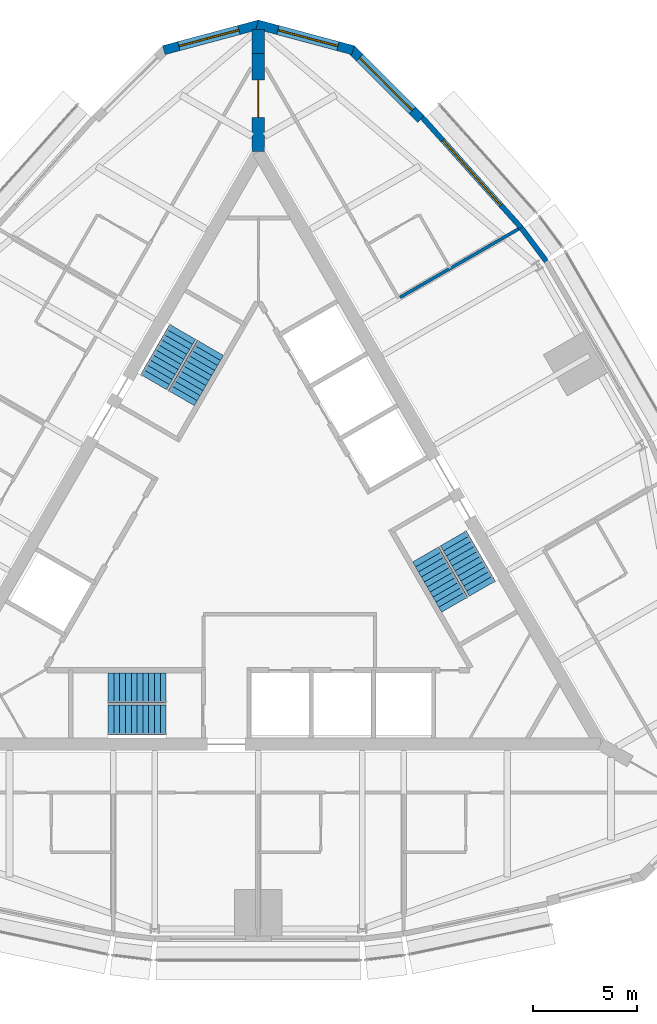
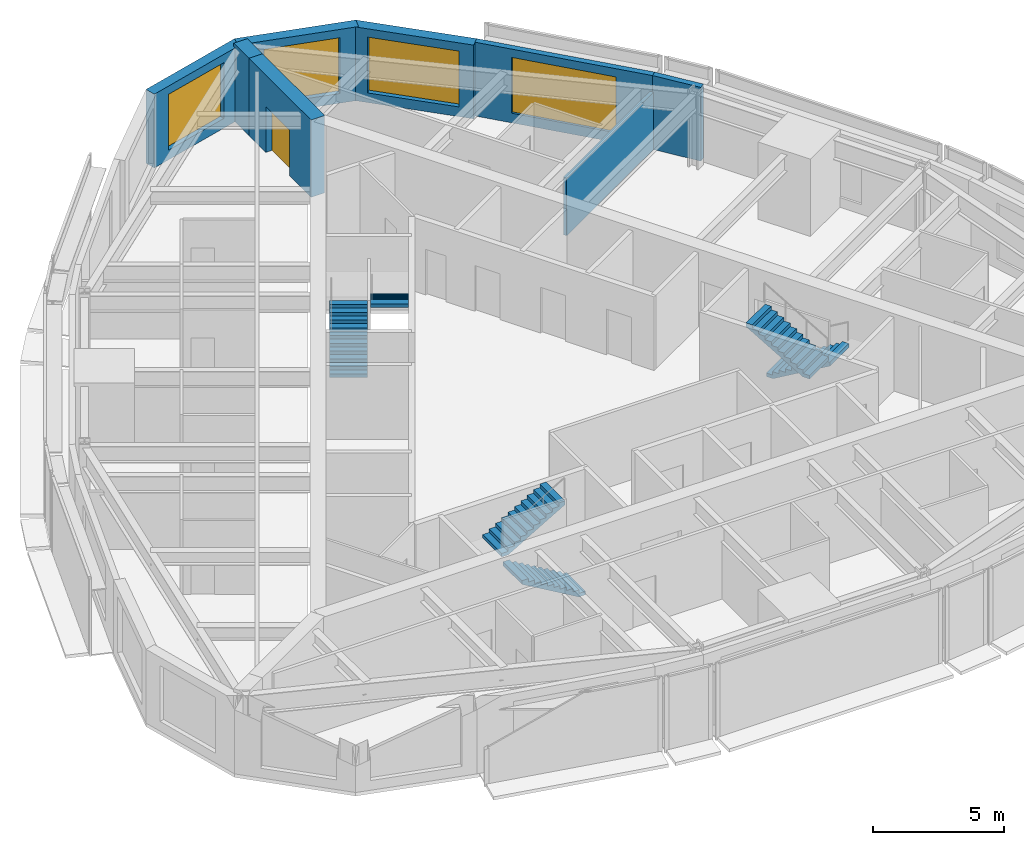
# One storey, part 11 of 12: 8 walls, 6 stair flights, 4 windows, 1 door, 5 openings, 3 elements without a shape of their own.
"""IFC4 building model written with IfcOpenShell, lengths in metres."""

from ifc_helpers import new_model, si_unit, direction, frame, frame_2d, origin, place, context, subcontext, project, spatial, polyline, rectangle, outline, extrude, material, layer, layer_set, type_object, element, fill, aggregate, save


model = new_model("IFC4")

# Units and contexts
model_context = context("Model", 3, precision=1e-05, world=origin(), true_north=direction((0.0, 1.0)))
body_context = subcontext(model_context, "Body", "Model", "MODEL_VIEW")
ifc_project = project(units=[si_unit("LENGTHUNIT", "METRE"), si_unit("AREAUNIT", "SQUARE_METRE"), si_unit("VOLUMEUNIT", "CUBIC_METRE"), si_unit("PLANEANGLEUNIT", "RADIAN"), si_unit("MASSUNIT", "GRAM", prefix="KILO")], contexts=[model_context])

# Site, building, storey
site_placement = place(None, origin())
site = spatial("IfcSite", under=ifc_project, at=site_placement, CompositionType="ELEMENT")
building_placement = place(site_placement, origin())
building = spatial("IfcBuilding", under=site, at=building_placement, Name="Trikona Tower", CompositionType="ELEMENT")
storey_placement = place(building_placement, frame((0.0, 0.0, 246.5)))
storey = spatial("IfcBuildingStorey", under=building, at=storey_placement, Name="L65", CompositionType="ELEMENT", Elevation=246.5)

# Wall, opening, window
ifc_material_1 = material(Name="Brick-faced precast concrete", Category="masonry")
ifc_layer_1 = layer(ifc_material_1, 0.449951171875)
ifc_layer_set_1 = layer_set([ifc_layer_1], Name="Brick-faced corner wall 450")
wall_type_1 = type_object("IfcWallType", Name="Brick-faced corner wall 450", PredefinedType="SOLIDWALL", material=ifc_layer_set_1)
wall_1_placement = place(storey_placement, frame((7.8408203125, 20.62548828125, 0.0), z_axis=(0.0, 0.0, 1.0), x_axis=(-0.707106781187, 0.707106781187, 0.0)))
wall_1 = element("IfcWall", 1, at=wall_1_placement, inside=storey, type_object=wall_type_1, Name="External wall L65-14", PredefinedType="SOLIDWALL", context=body_context, shape_type="SweptSolid", body=[
    extrude(rectangle(XDim=4.781494140625, YDim=0.449951171875, at=frame_2d((2.390625, 0.0))), origin(), (0.0, 0.0, 1.0), 3.43505859375),
])
opening_1_placement = place(wall_1_placement, frame((0.5908203125, 0.0, 0.449951171875)))
opening_1 = element("IfcOpeningElement", 2, at=opening_1_placement, cuts=wall_1, Name="Opening W3626", PredefinedType="OPENING", context=body_context, shape_type="SweptSolid", body=[
    extrude(rectangle(XDim=3.60009765625, YDim=2.60009765625, at=frame_2d((1.800048828125, 1.300048828125))), frame((0.0, 0.23486328125, 0.0), z_axis=(0.0, -1.0, 0.0), x_axis=(1.0, 0.0, 0.0)), (0.0, 0.0, 1.0), 0.469970703125),
])
ifc_material_2 = material(Name="Aluminium-framed double glazing", Category="aluminium")
window_type_1 = type_object("IfcWindowType", Name="Window 3600x2600", PartitioningType="SINGLE_PANEL", PredefinedType="WINDOW", material=ifc_material_2)
window_1_placement = place(opening_1_placement, origin())
window_1 = element("IfcWindow", 3, at=window_1_placement, inside=storey, type_object=window_type_1, Name="Window 6505", OverallHeight=2.60009765625, OverallWidth=3.60009765625, PartitioningType="SINGLE_PANEL", PredefinedType="WINDOW", context=body_context, shape_type="SweptSolid", body=[
    extrude(rectangle(XDim=3.60009765625, YDim=2.60009765625, at=frame_2d((1.800048828125, 1.300048828125))), frame((0.0, 0.030029296875, 0.0), z_axis=(0.0, -1.0, 0.0), x_axis=(1.0, 0.0, 0.0)), (0.0, 0.0, 1.0), 0.06005859375),
])
fill(opening_1, window_1)

wall_2_placement = place(storey_placement, frame((4.560546875, 23.948486328125, 0.0), z_axis=(0.0, 0.0, 1.0), x_axis=(-0.965926628191, 0.258816052347, 0.0)))
wall_2 = element("IfcWall", 4, at=wall_2_placement, inside=storey, type_object=wall_type_1, Name="External wall L65-15", PredefinedType="SOLIDWALL", context=body_context, shape_type="SweptSolid", body=[
    extrude(outline(polyline([(4.781494140625, 0.22509765625), (4.722412109375, 0.22509765625), (4.37548828125, 0.132080078125), (4.3505859375, 0.22509765625), (0.0, 0.22509765625), (0.0, -0.22509765625), (4.781494140625, -0.22509765625), (4.781494140625, 0.22509765625)])), origin(), (0.0, 0.0, 1.0), 3.43505859375),
])
opening_2_placement = place(wall_2_placement, frame((0.750244140625, 0.0, 0.449951171875)))
opening_2 = element("IfcOpeningElement", 5, at=opening_2_placement, cuts=wall_2, Name="Opening W3026", PredefinedType="OPENING", context=body_context, shape_type="SweptSolid", body=[
    extrude(rectangle(XDim=3.0, YDim=2.60009765625, at=frame_2d((1.5, 1.300048828125))), frame((0.0, 0.23486328125, 0.0), z_axis=(0.0, -1.0, 0.0), x_axis=(1.0, 0.0, 0.0)), (0.0, 0.0, 1.0), 0.469970703125),
])
ifc_material_3 = material(Name="Aluminium-framed double glazing", Category="aluminium")
window_type_2 = type_object("IfcWindowType", Name="Window 3000x2600", PartitioningType="SINGLE_PANEL", PredefinedType="WINDOW", material=ifc_material_3)
window_2_placement = place(opening_2_placement, origin())
window_2 = element("IfcWindow", 6, at=window_2_placement, inside=storey, type_object=window_type_2, Name="Window 6505", OverallHeight=2.60009765625, OverallWidth=3.0, PartitioningType="SINGLE_PANEL", PredefinedType="WINDOW", context=body_context, shape_type="SweptSolid", body=[
    extrude(rectangle(XDim=3.0, YDim=2.60009765625, at=frame_2d((1.5, 1.300048828125))), frame((0.0, 0.030029296875, 0.0), z_axis=(0.0, -1.0, 0.0), x_axis=(1.0, 0.0, 0.0)), (0.0, 0.0, 1.0), 0.06005859375),
])
fill(opening_2, window_2)

wall_3_placement = place(storey_placement, frame((0.05810546875, 25.18603515625, 0.0), z_axis=(0.0, 0.0, 1.0), x_axis=(-0.965926628191, -0.258816052347, 0.0)))
wall_3 = element("IfcWall", 7, at=wall_3_placement, inside=storey, type_object=wall_type_1, Name="External wall L65-16", PredefinedType="SOLIDWALL", context=body_context, shape_type="SweptSolid", body=[
    extrude(outline(polyline([(4.781494140625, 0.22509765625), (0.430908203125, 0.22509765625), (0.406005859375, 0.132080078125), (0.059326171875, 0.22509765625), (0.0, 0.22509765625), (0.0, -0.22509765625), (4.781494140625, -0.22509765625), (4.781494140625, 0.22509765625)])), origin(), (0.0, 0.0, 1.0), 3.43505859375),
])
opening_3_placement = place(wall_3_placement, frame((1.031494140625, 0.0, 0.449951171875)))
opening_3 = element("IfcOpeningElement", 8, at=opening_3_placement, cuts=wall_3, Name="Opening W3026", PredefinedType="OPENING", context=body_context, shape_type="SweptSolid", body=[
    extrude(rectangle(XDim=3.0, YDim=2.60009765625, at=frame_2d((1.5, 1.300048828125))), frame((0.0, 0.23486328125, 0.0), z_axis=(0.0, -1.0, 0.0), x_axis=(1.0, 0.0, 0.0)), (0.0, 0.0, 1.0), 0.469970703125),
])
window_3_placement = place(opening_3_placement, origin())
window_3 = element("IfcWindow", 9, at=window_3_placement, inside=storey, type_object=window_type_2, Name="Window 6506", OverallHeight=2.60009765625, OverallWidth=3.0, PartitioningType="SINGLE_PANEL", PredefinedType="WINDOW", context=body_context, shape_type="SweptSolid", body=[
    extrude(rectangle(XDim=3.0, YDim=2.60009765625, at=frame_2d((1.5, 1.300048828125))), frame((0.0, 0.030029296875, 0.0), z_axis=(0.0, -1.0, 0.0), x_axis=(1.0, 0.0, 0.0)), (0.0, 0.0, 1.0), 0.06005859375),
])
fill(opening_3, window_3)

# Wall, opening, door
ifc_material_4 = material(Name="Concrete f'c 10000 psi", Category="concrete")
ifc_layer_2 = layer(ifc_material_4, 0.60009765625)
ifc_layer_set_2 = layer_set([ifc_layer_2], Name="Buttress wall 600")
wall_type_2 = type_object("IfcWallType", Name="Buttress wall 600", PredefinedType="SHEAR", material=ifc_layer_set_2)
wall_4_placement = place(storey_placement, frame((0.0, 19.052490234375, 0.0), z_axis=(0.0, 0.0, 1.0), x_axis=(0.0, 1.0, 0.0)))
wall_4 = element("IfcWall", 10, at=wall_4_placement, inside=storey, type_object=wall_type_2, Name="Buttress wall 2", PredefinedType="SHEAR", context=body_context, shape_type="SweptSolid", body=[
    extrude(rectangle(XDim=4.74609375, YDim=0.60009765625, at=frame_2d((2.373046875, 0.0))), origin(), (0.0, 0.0, 1.0), 3.60009765625),
])
opening_4_placement = place(wall_4_placement, frame((1.64990234375, 0.0, 0.0)))
opening_4 = element("IfcOpeningElement", 11, at=opening_4_placement, cuts=wall_4, Name="Opening D10", PredefinedType="OPENING", context=body_context, shape_type="SweptSolid", body=[
    extrude(rectangle(XDim=1.800048828125, YDim=2.1298828125, at=frame_2d((0.89990234375, 1.06494140625))), frame((0.0, 0.31005859375, 0.0), z_axis=(0.0, -1.0, 0.0), x_axis=(1.0, 0.0, 0.0)), (0.0, 0.0, 1.0), 0.6201171875),
])
ifc_material_5 = material(Name="Hollow metal door and frame", Category="steel")
door_type = type_object("IfcDoorType", Name="Cross-corridor door pair 1800x2130", OperationType="DOUBLE_DOOR_DOUBLE_SWING", PredefinedType="DOOR", material=ifc_material_5)
door_placement = place(opening_4_placement, origin())
door = element("IfcDoor", 12, at=door_placement, inside=storey, type_object=door_type, Name="Cross-corridor door 2", OperationType="DOUBLE_DOOR_DOUBLE_SWING", OverallHeight=2.1298828125, OverallWidth=1.800048828125, PredefinedType="DOOR", context=body_context, shape_type="SweptSolid", body=[
    extrude(rectangle(XDim=1.800048828125, YDim=2.1298828125, at=frame_2d((0.89990234375, 1.06494140625))), frame((0.0, 0.02490234375, 0.0), z_axis=(0.0, -1.0, 0.0), x_axis=(1.0, 0.0, 0.0)), (0.0, 0.0, 1.0), 0.050048828125),
])
fill(opening_4, door)

# Walls
wall_5_placement = place(storey_placement, frame((0.0, 23.798583984375, 0.0), z_axis=(0.0, 0.0, 1.0), x_axis=(0.0, 1.0, 0.0)))
element("IfcWall", 13, at=wall_5_placement, inside=storey, type_object=wall_type_2, Name="Buttress wall 2 part 2", PredefinedType="SHEAR", context=body_context, shape_type="SweptSolid", body=[
    extrude(rectangle(XDim=1.15478515625, YDim=0.60009765625, at=frame_2d((0.577392578125, 0.0))), origin(), (0.0, 0.0, 1.0), 3.60009765625),
])
ifc_material_6 = material(Name="Insulated precast concrete spandrel panel", Category="concrete")
ifc_layer_3 = layer(ifc_material_6, 0.25)
ifc_layer_set_3 = layer_set([ifc_layer_3], Name="Inner skin wall 250")
wall_type_3 = type_object("IfcWallType", Name="Inner skin wall 250", PredefinedType="STANDARD", material=ifc_layer_set_3)
wall_6_placement = place(storey_placement, frame((13.880859375, 13.7705078125, 0.0), z_axis=(0.0, 0.0, 1.0), x_axis=(-0.599650843534, 0.800261748335, 0.0)))
element("IfcWall", 14, at=wall_6_placement, inside=storey, type_object=wall_type_3, Name="External wall L65-12", PredefinedType="STANDARD", context=body_context, shape_type="SweptSolid", body=[
    extrude(rectangle(XDim=2.01416015625, YDim=0.25, at=frame_2d((1.007080078125, 0.0))), origin(), (0.0, 0.0, 1.0), 3.43505859375),
])

# Wall, opening, window
wall_7_placement = place(storey_placement, frame((12.679931640625, 15.3740234375, 0.0), z_axis=(0.0, 0.0, 1.0), x_axis=(-0.667303550892, 0.744785855778, 0.0)))
wall_7 = element("IfcWall", 15, at=wall_7_placement, inside=storey, type_object=wall_type_3, Name="External wall L65-13", PredefinedType="STANDARD", context=body_context, shape_type="SweptSolid", body=[
    extrude(rectangle(XDim=7.152587890625, YDim=0.25, at=frame_2d((3.576171875, 0.0))), origin(), (0.0, 0.0, 1.0), 3.43505859375),
])
opening_5_placement = place(wall_7_placement, frame((1.476318359375, 0.0, 0.449951171875)))
opening_5 = element("IfcOpeningElement", 16, at=opening_5_placement, cuts=wall_7, Name="Opening W4226", PredefinedType="OPENING", context=body_context, shape_type="SweptSolid", body=[
    extrude(rectangle(XDim=4.199951171875, YDim=2.60009765625, at=frame_2d((2.10009765625, 1.300048828125))), frame((0.0, 0.135009765625, 0.0), z_axis=(0.0, -1.0, 0.0), x_axis=(1.0, 0.0, 0.0)), (0.0, 0.0, 1.0), 0.27001953125),
])
ifc_material_7 = material(Name="Aluminium-framed double glazing", Category="aluminium")
window_type_3 = type_object("IfcWindowType", Name="Window 4200x2600", PartitioningType="SINGLE_PANEL", PredefinedType="WINDOW", material=ifc_material_7)
window_4_placement = place(opening_5_placement, origin())
window_4 = element("IfcWindow", 17, at=window_4_placement, inside=storey, type_object=window_type_3, Name="Window 6505", OverallHeight=2.60009765625, OverallWidth=4.199951171875, PartitioningType="SINGLE_PANEL", PredefinedType="WINDOW", context=body_context, shape_type="SweptSolid", body=[
    extrude(rectangle(XDim=4.199951171875, YDim=2.60009765625, at=frame_2d((2.10009765625, 1.300048828125))), frame((0.0, 0.030029296875, 0.0), z_axis=(0.0, -1.0, 0.0), x_axis=(1.0, 0.0, 0.0)), (0.0, 0.0, 1.0), 0.06005859375),
])
fill(opening_5, window_4)

# Wall
ifc_material_8 = material(Name="Metal stud and gypsum board, 1-hour acoustic", Category="gypsum")
ifc_layer_4 = layer(ifc_material_8, 0.14990234375)
ifc_layer_set_4 = layer_set([ifc_layer_4], Name="Party wall 150")
wall_type_4 = type_object("IfcWallType", Name="Party wall 150", PredefinedType="PARTITIONING", material=ifc_layer_set_4)
wall_8_placement = place(storey_placement, frame((6.82861328125, 12.025390625, 0.0), z_axis=(0.0, 0.0, 1.0), x_axis=(0.866029323189, 0.499993211332, 0.0)))
element("IfcWall", 18, at=wall_8_placement, inside=storey, type_object=wall_type_4, Name="Partition L65 F2 u7", PredefinedType="PARTITIONING", context=body_context, shape_type="SweptSolid", body=[
    extrude(rectangle(XDim=6.6083984375, YDim=0.14990234375, at=frame_2d((3.30419921875, 0.0))), origin(), (0.0, 0.0, 1.0), 2.677978515625),
])

# Stair, stair flights
ifc_material_9 = material(Name="Concrete f'c 5000 psi", Category="concrete")
stair_type = type_object("IfcStairType", Name="Core stair", PredefinedType="HALF_TURN_STAIR", material=ifc_material_9)
stair_1_placement = place(storey_placement, origin())
stair_1 = element("IfcStair", 19, at=stair_1_placement, inside=storey, type_object=stair_type, Name="Stair A L65", PredefinedType="HALF_TURN_STAIR")
ifc_material_10 = material(Name="Concrete f'c 5000 psi", Category="concrete")
stair_flight_type = type_object("IfcStairFlightType", Name="Core stair flight 1450", PredefinedType="STRAIGHT", material=ifc_material_10)
stair_flight_1_placement = place(storey_placement, frame((-4.449951171875, -8.351318359375, 0.0), z_axis=(0.0, 0.0, 1.0), x_axis=(-1.0, 0.0, 0.0)))
stair_flight_1 = element("IfcStairFlight", 20, at=stair_flight_1_placement, type_object=stair_flight_type, Name="ST-A flight 1", NumberOfRisers=11, NumberOfTreads=10, PredefinedType="STRAIGHT", RiserHeight=0.163636, TreadLength=0.28, context=body_context, shape_type="SweptSolid", body=[
    extrude(outline(polyline([(0.0, 0.0), (0.0, 0.16357421875), (0.280029296875, 0.16357421875), (0.280029296875, 0.327392578125), (0.56005859375, 0.327392578125), (0.56005859375, 0.490966796875), (0.840087890625, 0.490966796875), (0.840087890625, 0.654541015625), (1.1201171875, 0.654541015625), (1.1201171875, 0.818115234375), (1.39990234375, 0.818115234375), (1.39990234375, 0.98193359375), (1.679931640625, 0.98193359375), (1.679931640625, 1.1455078125), (1.9599609375, 1.1455078125), (1.9599609375, 1.30908203125), (2.239990234375, 1.30908203125), (2.239990234375, 1.47265625), (2.52001953125, 1.47265625), (2.52001953125, 1.636474609375), (2.800048828125, 1.636474609375), (2.800048828125, 1.800048828125), (2.800048828125, 1.462646484375), (0.297119140625, 0.0), (0.0, 0.0)])), frame((0.0, 0.72509765625, 0.0), z_axis=(0.0, -1.0, 0.0), x_axis=(1.0, 0.0, 0.0)), (0.0, 0.0, 1.0), 1.449951171875),
])
stair_flight_2_placement = place(storey_placement, frame((-7.25, -6.80126953125, 1.800048828125), z_axis=(0.0, 0.0, 1.0), x_axis=(1.0, 0.0, 0.0)))
stair_flight_2 = element("IfcStairFlight", 21, at=stair_flight_2_placement, type_object=stair_flight_type, Name="ST-A flight 2", NumberOfRisers=11, NumberOfTreads=10, PredefinedType="STRAIGHT", RiserHeight=0.163636, TreadLength=0.28, context=body_context, shape_type="SweptSolid", body=[
    extrude(outline(polyline([(0.0, 0.0), (0.0, 0.16357421875), (0.280029296875, 0.16357421875), (0.280029296875, 0.327392578125), (0.56005859375, 0.327392578125), (0.56005859375, 0.490966796875), (0.840087890625, 0.490966796875), (0.840087890625, 0.654541015625), (1.1201171875, 0.654541015625), (1.1201171875, 0.818115234375), (1.39990234375, 0.818115234375), (1.39990234375, 0.98193359375), (1.679931640625, 0.98193359375), (1.679931640625, 1.1455078125), (1.9599609375, 1.1455078125), (1.9599609375, 1.30908203125), (2.239990234375, 1.30908203125), (2.239990234375, 1.47265625), (2.52001953125, 1.47265625), (2.52001953125, 1.636474609375), (2.800048828125, 1.636474609375), (2.800048828125, 1.800048828125), (2.800048828125, 1.462646484375), (0.297119140625, 0.0), (0.0, 0.0)])), frame((0.0, 0.72509765625, 0.0), z_axis=(0.0, -1.0, 0.0), x_axis=(1.0, 0.0, 0.0)), (0.0, 0.0, 1.0), 1.449951171875),
])
aggregate(stair_1, [stair_flight_1, stair_flight_2])

stair_2_placement = place(storey_placement, origin())
stair_2 = element("IfcStair", 22, at=stair_2_placement, inside=storey, type_object=stair_type, Name="Stair B L65", PredefinedType="HALF_TURN_STAIR")
stair_flight_3_placement = place(storey_placement, frame((9.407470703125, 0.408447265625, 0.0), z_axis=(0.0, 0.0, 1.0), x_axis=(0.5, -0.866025403784, 0.0)))
stair_flight_3 = element("IfcStairFlight", 23, at=stair_flight_3_placement, type_object=stair_flight_type, Name="ST-B flight 1", NumberOfRisers=11, NumberOfTreads=10, PredefinedType="STRAIGHT", RiserHeight=0.163636, TreadLength=0.28, context=body_context, shape_type="SweptSolid", body=[
    extrude(outline(polyline([(0.0, 0.0), (0.0, 0.16357421875), (0.280029296875, 0.16357421875), (0.280029296875, 0.327392578125), (0.56005859375, 0.327392578125), (0.56005859375, 0.490966796875), (0.840087890625, 0.490966796875), (0.840087890625, 0.654541015625), (1.1201171875, 0.654541015625), (1.1201171875, 0.818115234375), (1.39990234375, 0.818115234375), (1.39990234375, 0.98193359375), (1.679931640625, 0.98193359375), (1.679931640625, 1.1455078125), (1.9599609375, 1.1455078125), (1.9599609375, 1.30908203125), (2.239990234375, 1.30908203125), (2.239990234375, 1.47265625), (2.52001953125, 1.47265625), (2.52001953125, 1.636474609375), (2.800048828125, 1.636474609375), (2.800048828125, 1.800048828125), (2.800048828125, 1.462646484375), (0.297119140625, 0.0), (0.0, 0.0)])), frame((0.0, 0.72509765625, 0.0), z_axis=(0.0, -1.0, 0.0), x_axis=(1.0, 0.0, 0.0)), (0.0, 0.0, 1.0), 1.449951171875),
])
stair_flight_4_placement = place(storey_placement, frame((9.465087890625, -2.79150390625, 1.800048828125), z_axis=(0.0, 0.0, 1.0), x_axis=(-0.5, 0.866025403784, 0.0)))
stair_flight_4 = element("IfcStairFlight", 24, at=stair_flight_4_placement, type_object=stair_flight_type, Name="ST-B flight 2", NumberOfRisers=11, NumberOfTreads=10, PredefinedType="STRAIGHT", RiserHeight=0.163636, TreadLength=0.28, context=body_context, shape_type="SweptSolid", body=[
    extrude(outline(polyline([(0.0, 0.0), (0.0, 0.16357421875), (0.280029296875, 0.16357421875), (0.280029296875, 0.327392578125), (0.56005859375, 0.327392578125), (0.56005859375, 0.490966796875), (0.840087890625, 0.490966796875), (0.840087890625, 0.654541015625), (1.1201171875, 0.654541015625), (1.1201171875, 0.818115234375), (1.39990234375, 0.818115234375), (1.39990234375, 0.98193359375), (1.679931640625, 0.98193359375), (1.679931640625, 1.1455078125), (1.9599609375, 1.1455078125), (1.9599609375, 1.30908203125), (2.239990234375, 1.30908203125), (2.239990234375, 1.47265625), (2.52001953125, 1.47265625), (2.52001953125, 1.636474609375), (2.800048828125, 1.636474609375), (2.800048828125, 1.800048828125), (2.800048828125, 1.462646484375), (0.297119140625, 0.0), (0.0, 0.0)])), frame((0.0, 0.72509765625, 0.0), z_axis=(0.0, -1.0, 0.0), x_axis=(1.0, 0.0, 0.0)), (0.0, 0.0, 1.0), 1.449951171875),
])
aggregate(stair_2, [stair_flight_3, stair_flight_4])

stair_3_placement = place(storey_placement, origin())
stair_3 = element("IfcStair", 25, at=stair_3_placement, inside=storey, type_object=stair_type, Name="Stair C L65", PredefinedType="HALF_TURN_STAIR")
stair_flight_5_placement = place(storey_placement, frame((-5.057373046875, 7.94287109375, 0.0), z_axis=(0.0, 0.0, 1.0), x_axis=(0.5, 0.866025403784, 0.0)))
stair_flight_5 = element("IfcStairFlight", 26, at=stair_flight_5_placement, type_object=stair_flight_type, Name="ST-C flight 1", NumberOfRisers=11, NumberOfTreads=10, PredefinedType="STRAIGHT", RiserHeight=0.163636, TreadLength=0.28, context=body_context, shape_type="SweptSolid", body=[
    extrude(outline(polyline([(0.0, 0.0), (0.0, 0.16357421875), (0.280029296875, 0.16357421875), (0.280029296875, 0.327392578125), (0.56005859375, 0.327392578125), (0.56005859375, 0.490966796875), (0.840087890625, 0.490966796875), (0.840087890625, 0.654541015625), (1.1201171875, 0.654541015625), (1.1201171875, 0.818115234375), (1.39990234375, 0.818115234375), (1.39990234375, 0.98193359375), (1.679931640625, 0.98193359375), (1.679931640625, 1.1455078125), (1.9599609375, 1.1455078125), (1.9599609375, 1.30908203125), (2.239990234375, 1.30908203125), (2.239990234375, 1.47265625), (2.52001953125, 1.47265625), (2.52001953125, 1.636474609375), (2.800048828125, 1.636474609375), (2.800048828125, 1.800048828125), (2.800048828125, 1.462646484375), (0.297119140625, 0.0), (0.0, 0.0)])), frame((0.0, 0.72509765625, 0.0), z_axis=(0.0, -1.0, 0.0), x_axis=(1.0, 0.0, 0.0)), (0.0, 0.0, 1.0), 1.449951171875),
])
stair_flight_6_placement = place(storey_placement, frame((-2.315185546875, 9.5927734375, 1.800048828125), z_axis=(0.0, 0.0, 1.0), x_axis=(-0.5, -0.866025403784, 0.0)))
stair_flight_6 = element("IfcStairFlight", 27, at=stair_flight_6_placement, type_object=stair_flight_type, Name="ST-C flight 2", NumberOfRisers=11, NumberOfTreads=10, PredefinedType="STRAIGHT", RiserHeight=0.163636, TreadLength=0.28, context=body_context, shape_type="SweptSolid", body=[
    extrude(outline(polyline([(0.0, 0.0), (0.0, 0.16357421875), (0.280029296875, 0.16357421875), (0.280029296875, 0.327392578125), (0.56005859375, 0.327392578125), (0.56005859375, 0.490966796875), (0.840087890625, 0.490966796875), (0.840087890625, 0.654541015625), (1.1201171875, 0.654541015625), (1.1201171875, 0.818115234375), (1.39990234375, 0.818115234375), (1.39990234375, 0.98193359375), (1.679931640625, 0.98193359375), (1.679931640625, 1.1455078125), (1.9599609375, 1.1455078125), (1.9599609375, 1.30908203125), (2.239990234375, 1.30908203125), (2.239990234375, 1.47265625), (2.52001953125, 1.47265625), (2.52001953125, 1.636474609375), (2.800048828125, 1.636474609375), (2.800048828125, 1.800048828125), (2.800048828125, 1.462646484375), (0.297119140625, 0.0), (0.0, 0.0)])), frame((0.0, 0.72509765625, 0.0), z_axis=(0.0, -1.0, 0.0), x_axis=(1.0, 0.0, 0.0)), (0.0, 0.0, 1.0), 1.449951171875),
])
aggregate(stair_3, [stair_flight_5, stair_flight_6])

save(model, "model.ifc")
